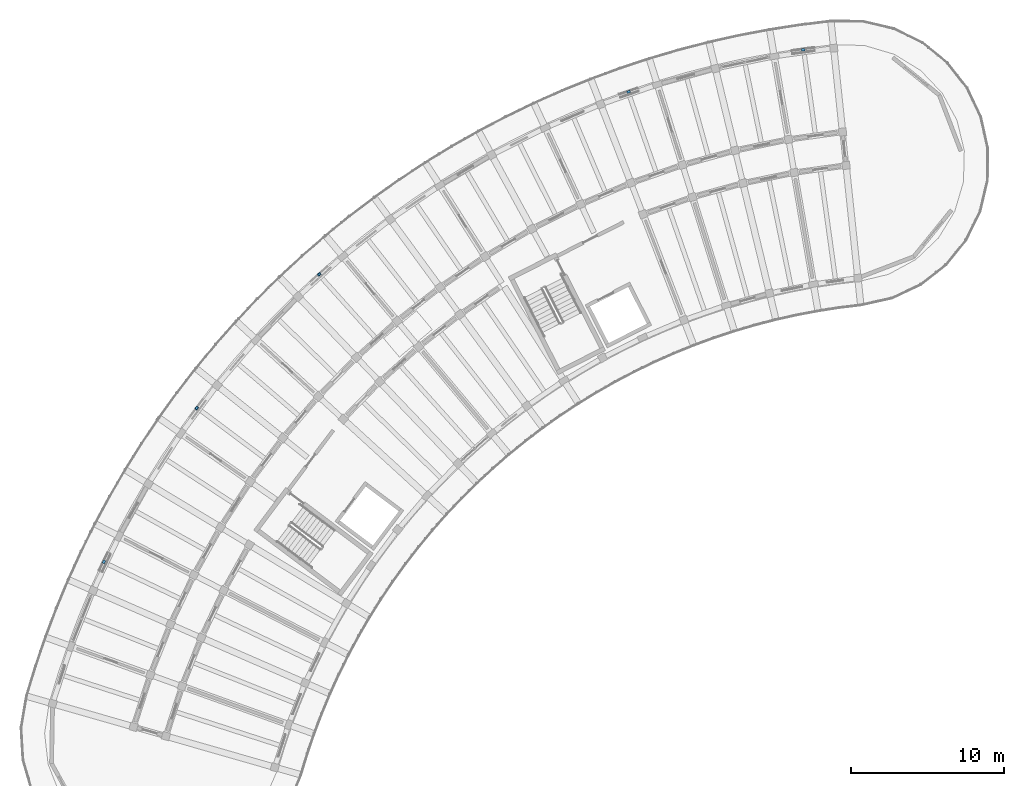
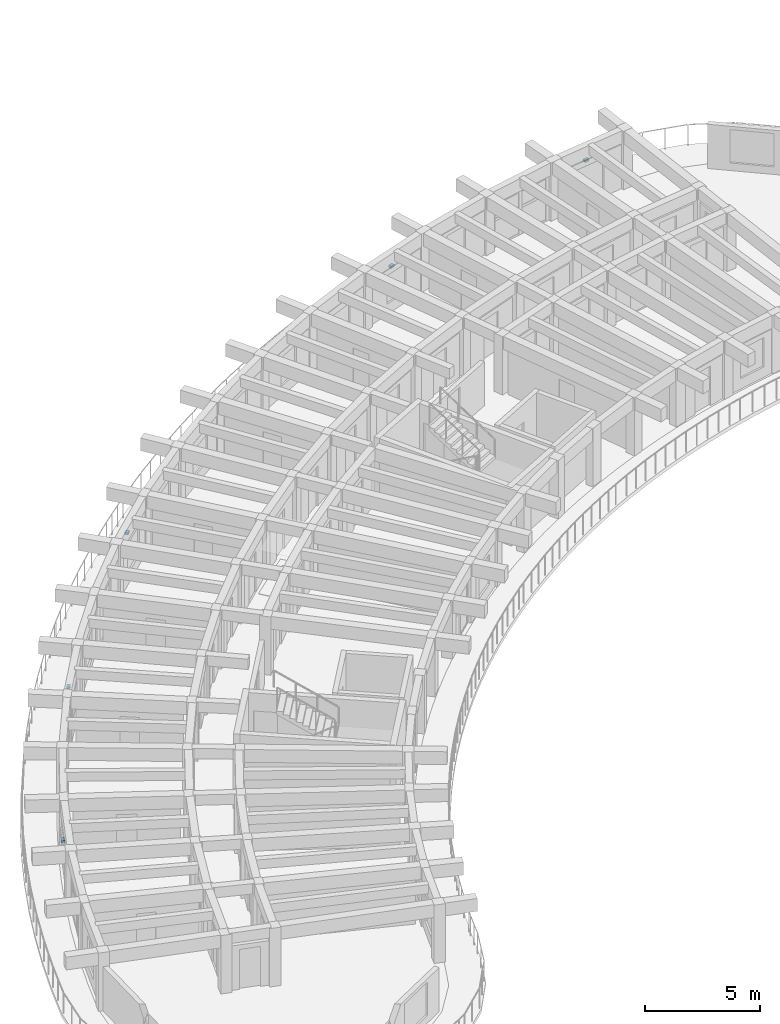
# One storey, part 61 of 83: 5 discrete accessories.
"""IFC4 building model written with IfcOpenShell, lengths in metres."""

from ifc_helpers import new_model, si_unit, direction, frame, origin, origin_2d, place, context, subcontext, project, spatial, rectangle, extrude, material, type_object, element, save


model = new_model("IFC4")

# Units and contexts
model_context = context("Model", 3, precision=1e-05, world=origin(), true_north=direction((0.0, 1.0)))
body_context = subcontext(model_context, "Body", "Model", "MODEL_VIEW")
ifc_project = project(units=[si_unit("LENGTHUNIT", "METRE"), si_unit("AREAUNIT", "SQUARE_METRE"), si_unit("VOLUMEUNIT", "CUBIC_METRE"), si_unit("PLANEANGLEUNIT", "RADIAN"), si_unit("MASSUNIT", "GRAM", prefix="KILO")], contexts=[model_context])

# Site, building, storey
site_placement = place(None, origin())
site = spatial("IfcSite", under=ifc_project, at=site_placement, CompositionType="ELEMENT")
building_placement = place(site_placement, origin())
building = spatial("IfcBuilding", under=site, at=building_placement, Name="Tanwirah Colonnade Gardens", CompositionType="ELEMENT")
storey_placement = place(building_placement, frame((0.0, 0.0, 25.639892578125)))
storey = spatial("IfcBuildingStorey", under=building, at=storey_placement, Name="L07", CompositionType="ELEMENT", Elevation=25.639892578125)

# Discrete accessories
ifc_material = material(Name="Steel S355", Category="steel")
discrete_accessory_type = type_object("IfcDiscreteAccessoryType", Name="BRK-SS1", PredefinedType="BRACKET", material=ifc_material)
for number, where, z_axis, x_axis, name in (
    (1, (56.777587890625, 119.321044921875, 2.050048828125), (0.0, 0.0, 1.0), (-0.990536309848, -0.137250933957, 0.0), "Solar screen support bracket A-L07-00"),
    (2, (45.37646484375, 116.572265625, 2.070068359375), (0.0, 0.0, 1.0), (-0.944248758459, -0.329232869181, 0.0), "Solar screen support bracket A-L07-03"),
    (3, (25.16796875, 104.65576171875, 2.16015625), (0.0, 0.0, 1.0), (-0.744442009065, -0.667687123688, 0.0), "Solar screen support bracket A-L07-09"),
    (4, (17.17236328125, 95.913330078125, 2.050048828125), (0.0, 0.0, 1.0), (-0.598714514028, -0.800962502675, 0.0), "Solar screen support bracket A-L07-12"),
    (5, (11.112548828125, 85.8720703125, 2.070068359375), (0.0, 0.0, 1.0), (-0.429636438109, -0.903001955175, 0.0), "Solar screen support bracket A-L07-15"),
):
    element("IfcDiscreteAccessory", number, at=place(storey_placement, frame(where, z_axis=z_axis, x_axis=x_axis)), inside=storey, type_object=discrete_accessory_type, Name=name, PredefinedType="BRACKET", context=body_context, shape_type="SweptSolid", body=[
        extrude(rectangle(XDim=0.219970703125, YDim=0.159912109375, at=origin_2d()), origin(), (0.0, 0.0, 1.0), 0.1201171875),
    ])

save(model, "model.ifc")
